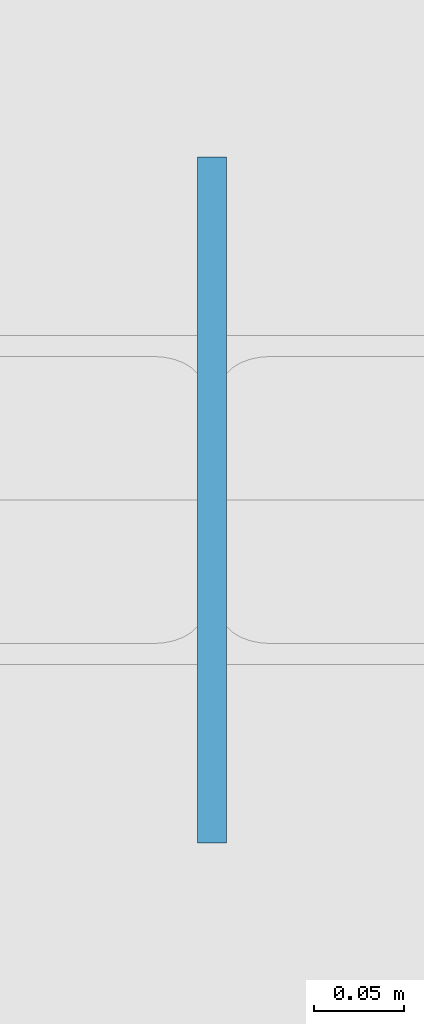
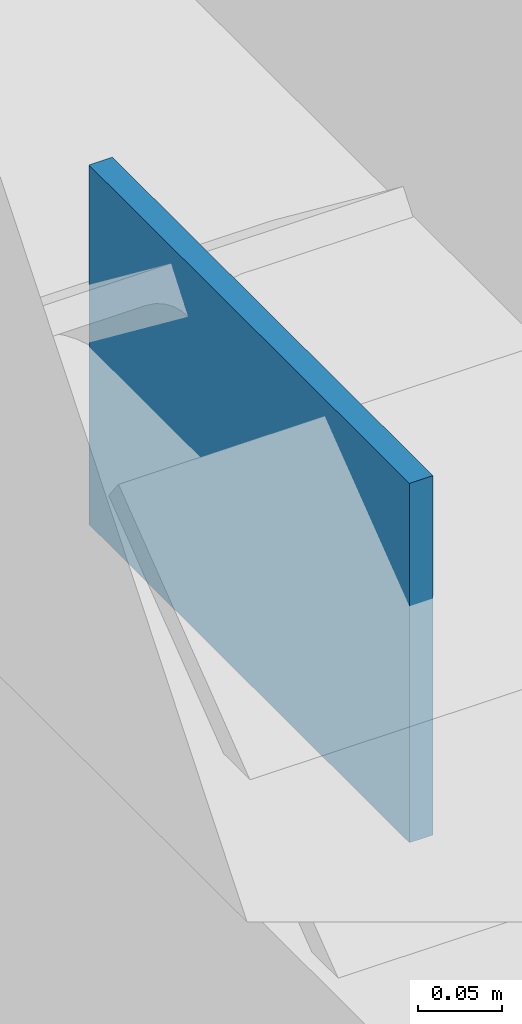
# One storey, part 75 of 101: 1 plate.
"""IFC4 building model written with IfcOpenShell, lengths in metres."""

from ifc_helpers import new_model, si_unit, direction, frame, origin, origin_2d, place, context, subcontext, project, spatial, rectangle, extrude, material, layer, layer_set, type_object, element, save


model = new_model("IFC4")

# Units and contexts
model_context = context("Model", 3, precision=1e-05, world=origin(), true_north=direction((0.0, 1.0)))
body_context = subcontext(model_context, "Body", "Model", "MODEL_VIEW")
ifc_project = project(units=[si_unit("LENGTHUNIT", "METRE"), si_unit("AREAUNIT", "SQUARE_METRE"), si_unit("VOLUMEUNIT", "CUBIC_METRE"), si_unit("PLANEANGLEUNIT", "RADIAN"), si_unit("MASSUNIT", "GRAM", prefix="KILO")], contexts=[model_context])

# Site, building, storey
site_placement = place(None, origin())
site = spatial("IfcSite", under=ifc_project, at=site_placement, CompositionType="ELEMENT")
building_placement = place(site_placement, origin())
building = spatial("IfcBuilding", under=site, at=building_placement, Name="Qasida Concert Hall", CompositionType="ELEMENT")
storey_placement = place(building_placement, frame((0.0, 0.0, 13.199951171875)))
storey = spatial("IfcBuildingStorey", under=building, at=storey_placement, Name="L03", CompositionType="ELEMENT", Elevation=13.199951171875)

# Plate
ifc_material = material(Name="Steel S355J2", Category="steel")
ifc_layer = layer(ifc_material, 0.01611328125, Name="Steel S355J2")
ifc_layer_set = layer_set([ifc_layer], Name="Steel S355J2")
plate_type = type_object("IfcPlateType", Name="PLT-PL-EC3", PredefinedType="SHEET", material=ifc_layer_set)
plate_placement = place(storey_placement, frame((165.0, 86.25, 2.740234375), z_axis=(0.0, 0.0, 1.0), x_axis=(0.0, 1.0, 0.0)))
element("IfcPlate", 1, at=plate_placement, inside=storey, type_object=plate_type, Name="Chevron apex plate CBF-0098", PredefinedType="SHEET", context=body_context, shape_type="SweptSolid", body=[
    extrude(rectangle(XDim=0.3798828125, YDim=0.01611328125, at=origin_2d()), origin(), (0.0, 0.0, 1.0), 0.260009765625),
])

save(model, "model.ifc")
